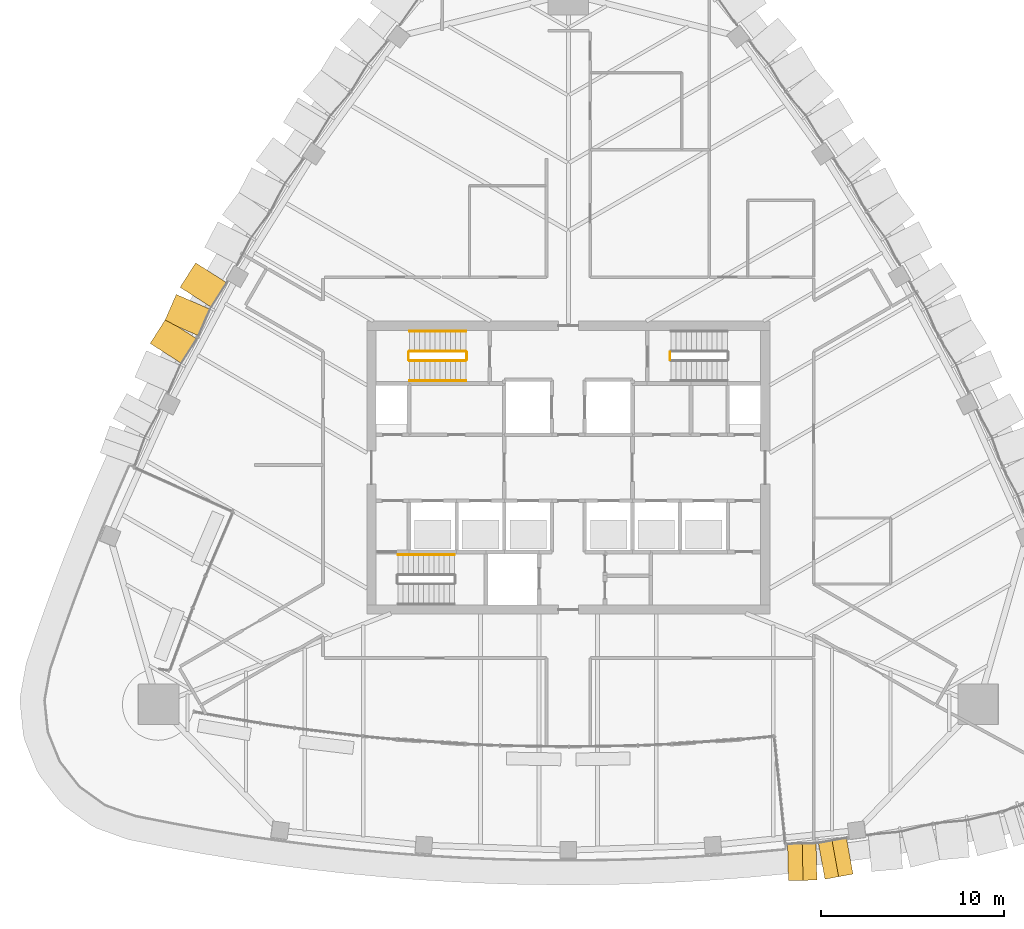
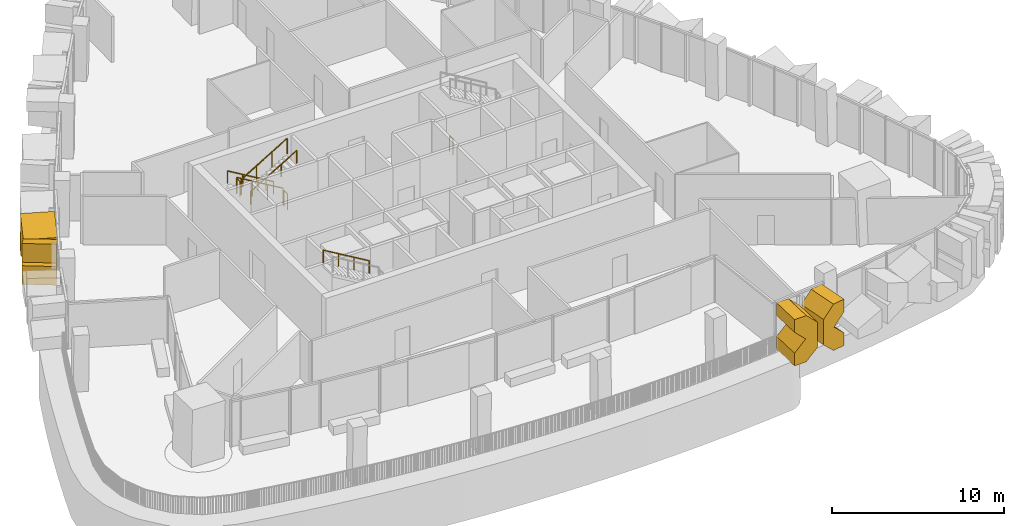
# One storey, part 18 of 22: 8 railings, 5 coverings.
"""IFC4 building model written with IfcOpenShell, lengths in metres."""

from ifc_helpers import new_model, si_unit, direction, frame, origin, origin_2d, place, context, subcontext, project, spatial, polyline, circle, outline, extrude, material, layer, layer_set, type_object, element, save


model = new_model("IFC4")

# Units and contexts
model_context = context("Model", 3, precision=1e-05, world=origin(), true_north=direction((0.0, 1.0)))
body_context = subcontext(model_context, "Body", "Model", "MODEL_VIEW")
ifc_project = project(units=[si_unit("LENGTHUNIT", "METRE"), si_unit("AREAUNIT", "SQUARE_METRE"), si_unit("VOLUMEUNIT", "CUBIC_METRE"), si_unit("PLANEANGLEUNIT", "RADIAN"), si_unit("MASSUNIT", "GRAM", prefix="KILO")], contexts=[model_context])

# Site, building, storey
site_placement = place(None, origin())
site = spatial("IfcSite", under=ifc_project, at=site_placement, CompositionType="ELEMENT")
building_placement = place(site_placement, origin())
building = spatial("IfcBuilding", under=site, at=building_placement, Name="Sierra Prisma Convention Tower", CompositionType="ELEMENT")
storey_placement = place(building_placement, frame((0.0, 0.0, 227.0)))
storey = spatial("IfcBuildingStorey", under=building, at=storey_placement, Name="L50", CompositionType="ELEMENT", Elevation=227.0)

# Coverings
ifc_material_1 = material(Name="Aluminium 6063-T6 bronze anodised", Category="aluminium")
ifc_layer = layer(ifc_material_1, 2.0)
ifc_layer_set = layer_set([ifc_layer], Name="Bronze crystal chevron frame")
covering_type = type_object("IfcCoveringType", Name="Bronze crystal chevron frame", PredefinedType="CLADDING", material=ifc_layer_set)
covering_1_placement = place(storey_placement, frame((12.021240234375, -22.5576171875, 0.0), z_axis=(0.023552132483, -0.999722610055, 0.0), x_axis=(0.999722610055, 0.023552132483, 0.0)))
element("IfcCovering", 1, at=covering_1_placement, inside=storey, type_object=covering_type, Name="CW-2 chevron frame S5b.1.1", PredefinedType="CLADDING", context=body_context, shape_type="SweptSolid", body=[
    extrude(outline(polyline([(0.0, 0.0), (0.7990492906009954, 0.0), (1.5560950417831874, 0.73828125), (1.5560950417831874, 2.541748046875), (0.7990492906009954, 3.280029296875), (0.0, 3.280029296875), (0.0, 2.38330078125), (0.7616831363362564, 1.639892578125), (0.0, 0.896728515625), (0.0, 0.0)])), origin(), (0.0, 0.0, -1.0), 2.0),
])
covering_2_placement = place(storey_placement, frame((14.017822265625, -22.475830078125, 0.73828125), z_axis=(0.17981413823, -0.98370060267, 0.0), x_axis=(0.704208534636, 0.128724787244, -0.698226516894)))
element("IfcCovering", 2, at=covering_2_placement, inside=storey, type_object=covering_type, Name="CW-2 chevron frame S5b.1.2", PredefinedType="CLADDING", context=body_context, shape_type="SweptSolid", body=[
    extrude(outline(polyline([(0.0, 0.0), (1.0573663877500157, 0.0), (1.6294782972263544, 0.5580061428397043), (1.0033586691615464, 1.19995336971042), (-0.06080932787678783, 1.2001402014659535), (-0.03460550597774503, 2.264156109818176), (-0.6607251340425533, 2.9061033366888918), (-1.232837043518892, 2.3480971938491875), (-1.2592283399168904, 1.291060213692888), (0.0, 0.0)])), origin(), (0.0, 0.0, -1.0), 2.0),
])
covering_3_placement = place(storey_placement, frame((-21.06884765625, 10.068603515625, 0.0), z_axis=(-0.842904599499, 0.538063041012, -6.283506e-06), x_axis=(-0.485076469827, -0.759893241577, 0.432739043566)))
element("IfcCovering", 3, at=covering_3_placement, inside=storey, type_object=covering_type, Name="CW-2 chevron frame NW4.1.1", PredefinedType="CLADDING", context=body_context, shape_type="SweptSolid", body=[
    extrude(outline(polyline([(0.0, 0.0), (0.28434428764765385, -1.3877787807814457e-17), (0.8604492692304662, 1.2001914930095485), (-0.8942962067568396, 1.1997270037545025), (-1.1948681254443696, 0.5735497072916077), (0.0, 0.0)])), origin(), (0.0, 0.0, -1.0), 2.0),
])
covering_4_placement = place(storey_placement, frame((-21.415283203125, 9.461181640625, 1.516845703125), z_axis=(-0.916715363203, 0.399540915137, 0.0), x_axis=(0.0, 0.0, -1.0)))
element("IfcCovering", 4, at=covering_4_placement, inside=storey, type_object=covering_type, Name="CW-2 chevron frame NW4.1.2", PredefinedType="CLADDING", context=body_context, shape_type="SweptSolid", body=[
    extrude(outline(polyline([(0.0, 0.0), (1.331298828125, 0.0), (0.5712890625, 1.581413016374754), (-0.817626953125, 1.581413016374754), (-1.57763671875, 0.0), (-0.246337890625, 0.0), (-0.123046875, 0.25617378487382975), (0.0, 0.0)])), origin(), (0.0, 0.0, -1.0), 2.0),
])
covering_5_placement = place(storey_placement, frame((-21.98876953125, 8.12109375, 0.945556640625), z_axis=(-0.842907185016, 0.538058990677, 0.0), x_axis=(-0.484979656392, -0.759754681258, -0.433090703194)))
element("IfcCovering", 5, at=covering_5_placement, inside=storey, type_object=covering_type, Name="CW-2 chevron frame NW4.2.1", PredefinedType="CLADDING", context=body_context, shape_type="SweptSolid", body=[
    extrude(outline(polyline([(0.0, 0.0), (1.7548512586848488, 0.0), (1.1782781130506146, 1.1999666568286147), (0.8941193341192262, 1.1999448557760926), (1.0715914627764642, 1.422003399307997), (0.4950183171422301, 2.621970056136612), (-0.6015266138846797, 1.2518999286077368), (0.0, 0.0)])), origin(), (0.0, 0.0, -1.0), 2.0),
])

# Railings
ifc_material_2 = material(Name="Stainless steel", Category="steel")
railing_type_1 = type_object("IfcRailingType", Name="Exit stair handrail", PredefinedType="HANDRAIL", material=ifc_material_2)
railing_1_placement = place(storey_placement, frame((-6.219970703125, -4.75, 2.166748046875)))
element("IfcRailing", 6, at=railing_1_placement, inside=storey, type_object=railing_type_1, Name="L50 S1 stair handrail 2", PredefinedType="HANDRAIL", context=body_context, shape_type="SweptSolid", body=[
    extrude(circle(Radius=0.02392578125, at=origin_2d()), frame((0.0, 0.0, 0.8759765625), z_axis=(-0.859308565015, 0.0, 0.511457515432), x_axis=(0.0, -1.0, 0.0)), (0.0, 0.0, 1.0), 3.58447265625),
    extrude(circle(Radius=0.02099609375, at=origin_2d()), origin(), (0.0, 0.0, 1.0), 0.851806640625),
    extrude(circle(Radius=0.02099609375, at=origin_2d()), frame((-1.026611328125, 0.0, 0.611083984375)), (0.0, 0.0, 1.0), 0.851806640625),
    extrude(circle(Radius=0.02099609375, at=origin_2d()), frame((-2.053466796875, 0.0, 1.22216796875)), (0.0, 0.0, 1.0), 0.851806640625),
    extrude(circle(Radius=0.02099609375, at=origin_2d()), frame((-3.080078125, 0.0, 1.833251953125)), (0.0, 0.0, 1.0), 0.851806640625),
])
railing_2_placement = place(storey_placement, frame((-5.60009765625, 7.449951171875, 0.166748046875)))
element("IfcRailing", 7, at=railing_2_placement, inside=storey, type_object=railing_type_1, Name="L50 S3 stair handrail 1", PredefinedType="HANDRAIL", context=body_context, shape_type="SweptSolid", body=[
    extrude(circle(Radius=0.02392578125, at=origin_2d()), frame((0.0, 0.0, 0.8759765625), z_axis=(-0.859290745958, 0.0, 0.51148745235), x_axis=(0.0, -1.0, 0.0)), (0.0, 0.0, 1.0), 3.584228515625),
    extrude(circle(Radius=0.02099609375, at=origin_2d()), origin(), (0.0, 0.0, 1.0), 0.851806640625),
    extrude(circle(Radius=0.02099609375, at=origin_2d()), frame((-1.026611328125, 0.0, 0.611083984375)), (0.0, 0.0, 1.0), 0.851806640625),
    extrude(circle(Radius=0.02099609375, at=origin_2d()), frame((-2.05322265625, 0.0, 1.22216796875)), (0.0, 0.0, 1.0), 0.851806640625),
    extrude(circle(Radius=0.02099609375, at=origin_2d()), frame((-3.079833984375, 0.0, 1.833251953125)), (0.0, 0.0, 1.0), 0.851806640625),
])
railing_3_placement = place(storey_placement, frame((-8.679931640625, 4.75, 2.166748046875)))
element("IfcRailing", 8, at=railing_3_placement, inside=storey, type_object=railing_type_1, Name="L50 S3 stair handrail 2", PredefinedType="HANDRAIL", context=body_context, shape_type="SweptSolid", body=[
    extrude(circle(Radius=0.02392578125, at=origin_2d()), frame((0.0, 0.0, 0.8759765625), z_axis=(0.859290745958, 0.0, 0.51148745235), x_axis=(0.0, 1.0, 0.0)), (0.0, 0.0, 1.0), 3.584228515625),
    extrude(circle(Radius=0.02099609375, at=origin_2d()), origin(), (0.0, 0.0, 1.0), 0.851806640625),
    extrude(circle(Radius=0.02099609375, at=origin_2d()), frame((1.026611328125, 0.0, 0.611083984375)), (0.0, 0.0, 1.0), 0.851806640625),
    extrude(circle(Radius=0.02099609375, at=origin_2d()), frame((2.05322265625, 0.0, 1.22216796875)), (0.0, 0.0, 1.0), 0.851806640625),
    extrude(circle(Radius=0.02099609375, at=origin_2d()), frame((3.079833984375, 0.0, 1.833251953125)), (0.0, 0.0, 1.0), 0.851806640625),
])
ifc_material_3 = material(Name="Stainless steel", Category="steel")
railing_type_2 = type_object("IfcRailingType", Name="Stair guard 1100", PredefinedType="GUARDRAIL", material=ifc_material_3)
railing_4_placement = place(storey_placement, frame((-5.60009765625, 6.35009765625, 0.166748046875)))
element("IfcRailing", 9, at=railing_4_placement, inside=storey, type_object=railing_type_2, Name="L50 S3 stair guard 1", PredefinedType="GUARDRAIL", context=body_context, shape_type="SweptSolid", body=[
    extrude(circle(Radius=0.02392578125, at=origin_2d()), frame((0.0, 0.0, 1.076171875), z_axis=(-0.859290745958, 0.0, 0.51148745235), x_axis=(0.0, -1.0, 0.0)), (0.0, 0.0, 1.0), 3.584228515625),
    extrude(circle(Radius=0.02099609375, at=origin_2d()), origin(), (0.0, 0.0, 1.0), 1.052001953125),
    extrude(circle(Radius=0.02099609375, at=origin_2d()), frame((-1.026611328125, 0.0, 0.611083984375)), (0.0, 0.0, 1.0), 1.052001953125),
    extrude(circle(Radius=0.02099609375, at=origin_2d()), frame((-2.05322265625, 0.0, 1.22216796875)), (0.0, 0.0, 1.0), 1.052001953125),
    extrude(circle(Radius=0.02099609375, at=origin_2d()), frame((-3.079833984375, 0.0, 1.833251953125)), (0.0, 0.0, 1.0), 1.052001953125),
])
railing_5_placement = place(storey_placement, frame((-8.72998046875, 6.300048828125, 2.0)))
element("IfcRailing", 10, at=railing_5_placement, inside=storey, type_object=railing_type_2, Name="L50 S3 stair guard 2", PredefinedType="GUARDRAIL", context=body_context, shape_type="SweptSolid", body=[
    extrude(circle(Radius=0.02392578125, at=origin_2d()), frame((0.0, 0.0, 1.076171875), z_axis=(0.0, -1.0, 0.0), x_axis=(1.0, 0.0, 0.0)), (0.0, 0.0, 1.0), 0.400146484375),
    extrude(circle(Radius=0.02099609375, at=origin_2d()), origin(), (0.0, 0.0, 1.0), 1.052001953125),
    extrude(circle(Radius=0.02099609375, at=origin_2d()), frame((0.0, -0.400146484375, 0.0)), (0.0, 0.0, 1.0), 1.052001953125),
])
railing_6_placement = place(storey_placement, frame((-8.679931640625, 5.85009765625, 2.166748046875)))
element("IfcRailing", 11, at=railing_6_placement, inside=storey, type_object=railing_type_2, Name="L50 S3 stair guard 3", PredefinedType="GUARDRAIL", context=body_context, shape_type="SweptSolid", body=[
    extrude(circle(Radius=0.02392578125, at=origin_2d()), frame((0.0, 0.0, 1.076171875), z_axis=(0.859290745958, 0.0, 0.51148745235), x_axis=(0.0, 1.0, 0.0)), (0.0, 0.0, 1.0), 3.584228515625),
    extrude(circle(Radius=0.02099609375, at=origin_2d()), origin(), (0.0, 0.0, 1.0), 1.052001953125),
    extrude(circle(Radius=0.02099609375, at=origin_2d()), frame((1.026611328125, 0.0, 0.611083984375)), (0.0, 0.0, 1.0), 1.052001953125),
    extrude(circle(Radius=0.02099609375, at=origin_2d()), frame((2.05322265625, 0.0, 1.22216796875)), (0.0, 0.0, 1.0), 1.052001953125),
    extrude(circle(Radius=0.02099609375, at=origin_2d()), frame((3.079833984375, 0.0, 1.833251953125)), (0.0, 0.0, 1.0), 1.052001953125),
])
railing_7_placement = place(storey_placement, frame((-5.550048828125, 6.300048828125, 0.0)))
element("IfcRailing", 12, at=railing_7_placement, inside=storey, type_object=railing_type_2, Name="L50 S3 stair guard 4", PredefinedType="GUARDRAIL", context=body_context, shape_type="SweptSolid", body=[
    extrude(circle(Radius=0.02392578125, at=origin_2d()), frame((0.0, 0.0, 1.076171875), z_axis=(0.0, -1.0, 0.0), x_axis=(1.0, 0.0, 0.0)), (0.0, 0.0, 1.0), 0.400146484375),
    extrude(circle(Radius=0.02099609375, at=origin_2d()), origin(), (0.0, 0.0, 1.0), 1.052001953125),
    extrude(circle(Radius=0.02099609375, at=origin_2d()), frame((0.0, -0.400146484375, 0.0)), (0.0, 0.0, 1.0), 1.052001953125),
])
railing_8_placement = place(storey_placement, frame((5.550048828125, 5.89990234375, 0.0)))
element("IfcRailing", 13, at=railing_8_placement, inside=storey, type_object=railing_type_2, Name="L50 S4 stair guard 4", PredefinedType="GUARDRAIL", context=body_context, shape_type="SweptSolid", body=[
    extrude(circle(Radius=0.02392578125, at=origin_2d()), frame((0.0, 0.0, 1.076171875), z_axis=(0.0, 1.0, 0.0), x_axis=(-1.0, 0.0, 0.0)), (0.0, 0.0, 1.0), 0.400146484375),
    extrude(circle(Radius=0.02099609375, at=origin_2d()), origin(), (0.0, 0.0, 1.0), 1.052001953125),
    extrude(circle(Radius=0.02099609375, at=origin_2d()), frame((0.0, 0.400146484375, 0.0)), (0.0, 0.0, 1.0), 1.052001953125),
])

save(model, "model.ifc")
